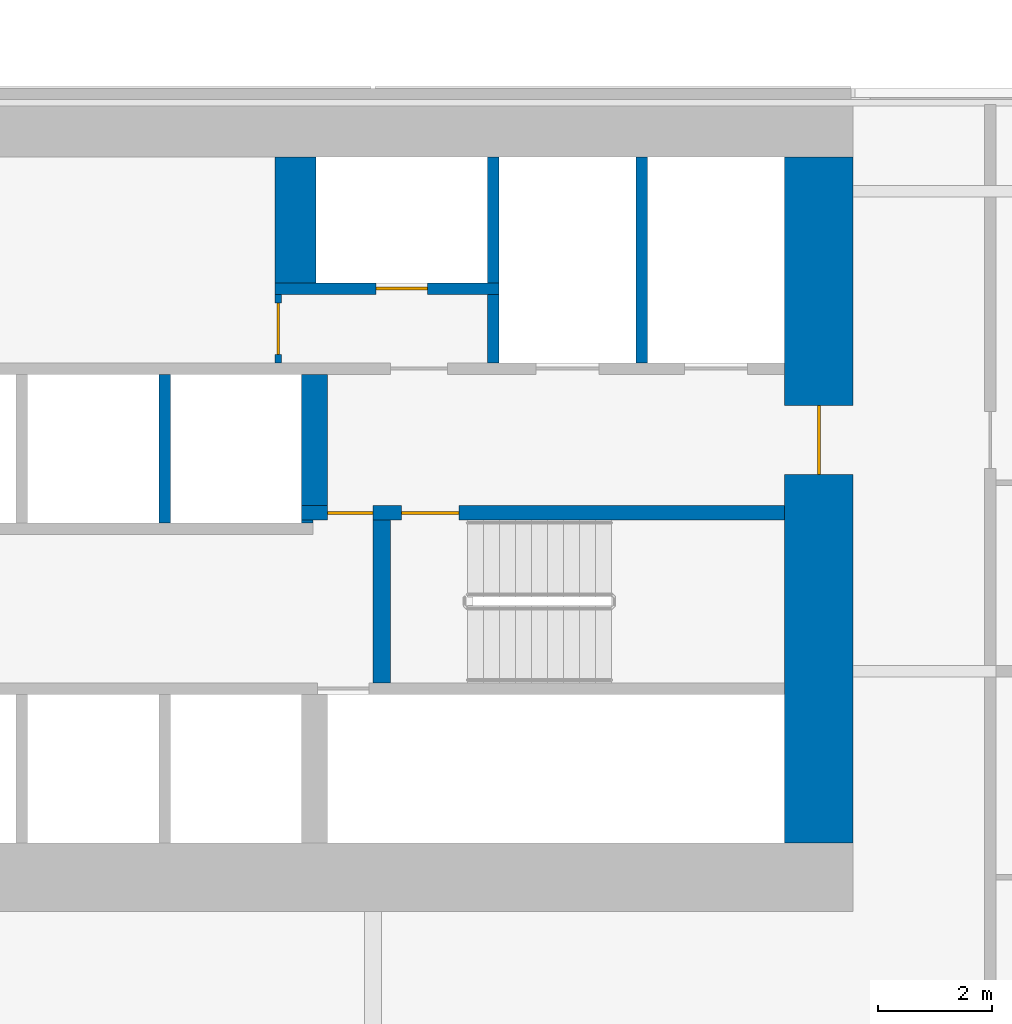
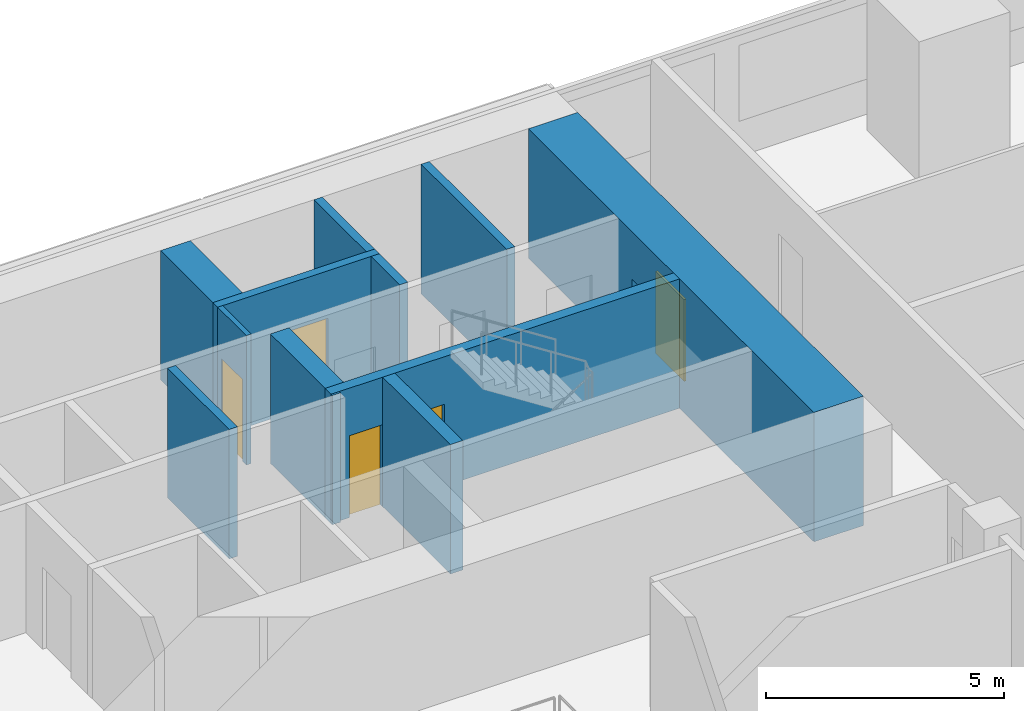
# One storey, part 23 of 30: 12 walls, 5 doors, 5 openings.
"""IFC4 building model written with IfcOpenShell, lengths in metres."""

from ifc_helpers import new_model, si_unit, direction, frame, frame_2d, origin, place, context, subcontext, project, spatial, rectangle, extrude, material, layer, layer_set, type_object, element, fill, save


model = new_model("IFC4")

# Units and contexts
model_context = context("Model", 3, precision=1e-05, world=origin(), true_north=direction((0.0, 1.0)))
body_context = subcontext(model_context, "Body", "Model", "MODEL_VIEW")
ifc_project = project(units=[si_unit("LENGTHUNIT", "METRE"), si_unit("AREAUNIT", "SQUARE_METRE"), si_unit("VOLUMEUNIT", "CUBIC_METRE"), si_unit("PLANEANGLEUNIT", "RADIAN"), si_unit("MASSUNIT", "GRAM", prefix="KILO")], contexts=[model_context])

# Site, building, storey
site_placement = place(None, origin())
site = spatial("IfcSite", under=ifc_project, at=site_placement, CompositionType="ELEMENT")
building_placement = place(site_placement, origin())
building = spatial("IfcBuilding", under=site, at=building_placement, Name="Saffron Gate Tower", CompositionType="ELEMENT")
storey_placement = place(building_placement, frame((0.0, 0.0, 69.60009765625)))
storey = spatial("IfcBuildingStorey", under=building, at=storey_placement, Name="L16", CompositionType="ELEMENT", Elevation=69.60009765625)

# Wall, opening, door
ifc_material_1 = material(Name="Concrete C70", Category="concrete")
ifc_layer_1 = layer(ifc_material_1, 1.199951171875)
ifc_layer_set_1 = layer_set([ifc_layer_1], Name="CW1 RC core wall 1200 C70")
wall_type_1 = type_object("IfcWallType", Name="CW1 RC core wall 1200 C70", PredefinedType="SOLIDWALL", material=ifc_layer_set_1)
wall_1_placement = place(storey_placement, frame((108.0, 62.39990234375, 0.0), z_axis=(0.0, 0.0, 1.0), x_axis=(0.0, 1.0, 0.0)))
wall_1 = element("IfcWall", 1, at=wall_1_placement, inside=storey, type_object=wall_type_1, Name="Wall CW1-L16-4", PredefinedType="SOLIDWALL", context=body_context, shape_type="SweptSolid", body=[
    extrude(rectangle(XDim=12.0, YDim=1.199951171875, at=frame_2d((6.0, 0.0))), origin(), (0.0, 0.0, 1.0), 3.31982421875),
])
opening_1_placement = place(wall_1_placement, frame((6.449951171875, 0.0, 0.0)))
opening_1 = element("IfcOpeningElement", 2, at=opening_1_placement, cuts=wall_1, Name="Opening CR-08", PredefinedType="OPENING", context=body_context, shape_type="SweptSolid", body=[
    extrude(rectangle(XDim=1.199951171875, YDim=2.10009765625, at=frame_2d((0.60009765625, 1.050048828125))), frame((0.0, 0.60986328125, 0.0), z_axis=(0.0, -1.0, 0.0), x_axis=(1.0, 0.0, 0.0)), (0.0, 0.0, 1.0), 1.219970703125),
])
ifc_material_2 = material(Name="Steel fire door set", Category="steel")
door_type_1 = type_object("IfcDoorType", Name="CD7 Core entrance door 1200x2100 EI 120", OperationType="NOTDEFINED", PredefinedType="DOOR", material=ifc_material_2)
door_1_placement = place(opening_1_placement, origin())
door_1 = element("IfcDoor", 3, at=door_1_placement, inside=storey, type_object=door_type_1, Name="DOOR CR-08", OperationType="SINGLE_SWING_RIGHT", OverallHeight=2.10009765625, OverallWidth=1.199951171875, PredefinedType="DOOR", context=body_context, shape_type="SweptSolid", body=[
    extrude(rectangle(XDim=1.199951171875, YDim=2.10009765625, at=frame_2d((0.60009765625, 1.050048828125))), frame((0.0, 0.02490234375, 0.0), z_axis=(0.0, -1.0, 0.0), x_axis=(1.0, 0.0, 0.0)), (0.0, 0.0, 1.0), 0.050048828125),
])
fill(opening_1, door_1)

# Wall
ifc_layer_2 = layer(ifc_material_1, 0.719970703125)
ifc_layer_set_2 = layer_set([ifc_layer_2], Name="CW11 RC core wall 720 C70")
wall_type_2 = type_object("IfcWallType", Name="CW11 RC core wall 720 C70", PredefinedType="SOLIDWALL", material=ifc_layer_set_2)
wall_2_placement = place(storey_placement, frame((98.840087890625, 72.199951171875, 0.0), z_axis=(0.0, 0.0, 1.0), x_axis=(0.0, 1.0, 0.0)))
element("IfcWall", 4, at=wall_2_placement, inside=storey, type_object=wall_type_2, Name="Wall CW11-L16-48", PredefinedType="SOLIDWALL", context=body_context, shape_type="SweptSolid", body=[
    extrude(rectangle(XDim=2.199951171875, YDim=0.719970703125, at=frame_2d((1.10009765625, 0.0))), origin(), (0.0, 0.0, 1.0), 3.31982421875),
])

# Wall, openings, doors
ifc_layer_3 = layer(ifc_material_1, 0.25)
ifc_layer_set_3 = layer_set([ifc_layer_3], Name="CW2 RC core wall 250 C70")
wall_type_3 = type_object("IfcWallType", Name="CW2 RC core wall 250 C70", PredefinedType="SOLIDWALL", material=ifc_layer_set_3)
wall_3_placement = place(storey_placement, frame((98.949951171875, 68.175048828125, 0.0), z_axis=(0.0, 0.0, 1.0), x_axis=(1.0, 0.0, 0.0)))
wall_3 = element("IfcWall", 5, at=wall_3_placement, inside=storey, type_object=wall_type_3, Name="Wall CW2-L16-31", PredefinedType="SOLIDWALL", context=body_context, shape_type="SweptSolid", body=[
    extrude(rectangle(XDim=8.449951171875, YDim=0.25, at=frame_2d((4.22509765625, 0.0))), origin(), (0.0, 0.0, 1.0), 3.31982421875),
])
opening_2_placement = place(wall_3_placement, frame((0.449951171875, 0.0, 0.0)))
opening_2 = element("IfcOpeningElement", 6, at=opening_2_placement, cuts=wall_3, Name="Opening CR-05", PredefinedType="OPENING", context=body_context, shape_type="SweptSolid", body=[
    extrude(rectangle(XDim=0.800048828125, YDim=2.10009765625, at=frame_2d((0.39990234375, 1.050048828125))), frame((0.0, 0.135009765625, 0.0), z_axis=(0.0, -1.0, 0.0), x_axis=(1.0, 0.0, 0.0)), (0.0, 0.0, 1.0), 0.27001953125),
])
opening_3_placement = place(wall_3_placement, frame((1.75, 0.0, 0.0)))
opening_3 = element("IfcOpeningElement", 7, at=opening_3_placement, cuts=wall_3, Name="Opening CR-16", PredefinedType="OPENING", context=body_context, shape_type="SweptSolid", body=[
    extrude(rectangle(XDim=1.0, YDim=2.10009765625, at=frame_2d((0.5, 1.050048828125))), frame((0.0, 0.135009765625, 0.0), z_axis=(0.0, -1.0, 0.0), x_axis=(1.0, 0.0, 0.0)), (0.0, 0.0, 1.0), 0.27001953125),
])
door_type_2 = type_object("IfcDoorType", Name="CD5 Stair door 1000x2100 EI 120", OperationType="NOTDEFINED", PredefinedType="DOOR", material=ifc_material_2)
door_2_placement = place(opening_3_placement, origin())
door_2 = element("IfcDoor", 8, at=door_2_placement, inside=storey, type_object=door_type_2, Name="DOOR CR-16", OperationType="SINGLE_SWING_RIGHT", OverallHeight=2.10009765625, OverallWidth=1.0, PredefinedType="DOOR", context=body_context, shape_type="SweptSolid", body=[
    extrude(rectangle(XDim=1.0, YDim=2.10009765625, at=frame_2d((0.5, 1.050048828125))), frame((0.0, 0.02490234375, 0.0), z_axis=(0.0, -1.0, 0.0), x_axis=(1.0, 0.0, 0.0)), (0.0, 0.0, 1.0), 0.050048828125),
])
fill(opening_3, door_2)
door_type_3 = type_object("IfcDoorType", Name="CD6 Lobby door 800x2100 EI 120", OperationType="NOTDEFINED", PredefinedType="DOOR", material=ifc_material_2)
door_3_placement = place(opening_2_placement, origin())
door_3 = element("IfcDoor", 9, at=door_3_placement, inside=storey, type_object=door_type_3, Name="DOOR CR-05", OperationType="SINGLE_SWING_LEFT", OverallHeight=2.10009765625, OverallWidth=0.800048828125, PredefinedType="DOOR", context=body_context, shape_type="SweptSolid", body=[
    extrude(rectangle(XDim=0.800048828125, YDim=2.10009765625, at=frame_2d((0.39990234375, 1.050048828125))), frame((0.0, 0.02490234375, 0.0), z_axis=(0.0, -1.0, 0.0), x_axis=(1.0, 0.0, 0.0)), (0.0, 0.0, 1.0), 0.050048828125),
])
fill(opening_2, door_3)

# Walls
ifc_layer_4 = layer(ifc_material_1, 0.199951171875)
ifc_layer_set_4 = layer_set([ifc_layer_4], Name="CW3 RC core wall 200 C70")
wall_type_4 = type_object("IfcWallType", Name="CW3 RC core wall 200 C70", PredefinedType="SOLIDWALL", material=ifc_layer_set_4)
wall_4_placement = place(storey_placement, frame((96.550048828125, 68.0, 0.0), z_axis=(0.0, 0.0, 1.0), x_axis=(0.0, 1.0, 0.0)))
element("IfcWall", 10, at=wall_4_placement, inside=storey, type_object=wall_type_4, Name="Wall CW3-L16-28", PredefinedType="SOLIDWALL", context=body_context, shape_type="SweptSolid", body=[
    extrude(rectangle(XDim=2.60009765625, YDim=0.199951171875, at=frame_2d((1.300048828125, 0.0))), origin(), (0.0, 0.0, 1.0), 3.31982421875),
])
wall_5_placement = place(storey_placement, frame((102.300048828125, 70.800048828125, 0.0), z_axis=(0.0, 0.0, 1.0), x_axis=(0.0, 1.0, 0.0)))
element("IfcWall", 11, at=wall_5_placement, inside=storey, type_object=wall_type_4, Name="Wall CW3-L16-41", PredefinedType="SOLIDWALL", context=body_context, shape_type="SweptSolid", body=[
    extrude(rectangle(XDim=1.199951171875, YDim=0.199951171875, at=frame_2d((0.60009765625, 0.0))), origin(), (0.0, 0.0, 1.0), 3.31982421875),
])
wall_6_placement = place(storey_placement, frame((104.89990234375, 70.800048828125, 0.0), z_axis=(0.0, 0.0, 1.0), x_axis=(0.0, 1.0, 0.0)))
element("IfcWall", 12, at=wall_6_placement, inside=storey, type_object=wall_type_4, Name="Wall CW3-L16-42", PredefinedType="SOLIDWALL", context=body_context, shape_type="SweptSolid", body=[
    extrude(rectangle(XDim=3.599853515625, YDim=0.199951171875, at=frame_2d((1.7998046875, 0.0))), origin(), (0.0, 0.0, 1.0), 3.31982421875),
])

# Wall, opening, door
wall_7_placement = place(storey_placement, frame((98.47998046875, 72.10009765625, 0.0), z_axis=(0.0, 0.0, 1.0), x_axis=(1.0, 0.0, 0.0)))
wall_7 = element("IfcWall", 13, at=wall_7_placement, inside=storey, type_object=wall_type_4, Name="Wall CW3-L16-44", PredefinedType="SOLIDWALL", context=body_context, shape_type="SweptSolid", body=[
    extrude(rectangle(XDim=3.919921875, YDim=0.199951171875, at=frame_2d((1.9599609375, 0.0))), origin(), (0.0, 0.0, 1.0), 3.31982421875),
])
opening_4_placement = place(wall_7_placement, frame((1.77001953125, 0.0, 0.0)))
opening_4 = element("IfcOpeningElement", 14, at=opening_4_placement, cuts=wall_7, Name="Opening CR-70", PredefinedType="OPENING", context=body_context, shape_type="SweptSolid", body=[
    extrude(rectangle(XDim=0.89990234375, YDim=2.10009765625, at=frame_2d((0.449951171875, 1.050048828125))), frame((0.0, 0.10986328125, 0.0), z_axis=(0.0, -1.0, 0.0), x_axis=(1.0, 0.0, 0.0)), (0.0, 0.0, 1.0), 0.219970703125),
])
door_type_4 = type_object("IfcDoorType", Name="CD2 Riser door 900x2100 EI 60", OperationType="NOTDEFINED", PredefinedType="DOOR", material=ifc_material_2)
door_4_placement = place(opening_4_placement, origin())
door_4 = element("IfcDoor", 15, at=door_4_placement, inside=storey, type_object=door_type_4, Name="DOOR CR-70", OperationType="SINGLE_SWING_LEFT", OverallHeight=2.10009765625, OverallWidth=0.89990234375, PredefinedType="DOOR", context=body_context, shape_type="SweptSolid", body=[
    extrude(rectangle(XDim=0.89990234375, YDim=2.10009765625, at=frame_2d((0.449951171875, 1.050048828125))), frame((0.0, 0.02490234375, 0.0), z_axis=(0.0, -1.0, 0.0), x_axis=(1.0, 0.0, 0.0)), (0.0, 0.0, 1.0), 0.050048828125),
])
fill(opening_4, door_4)

# Walls
wall_8_placement = place(storey_placement, frame((102.300048828125, 72.199951171875, 0.0), z_axis=(0.0, 0.0, 1.0), x_axis=(0.0, 1.0, 0.0)))
element("IfcWall", 16, at=wall_8_placement, inside=storey, type_object=wall_type_4, Name="Wall CW3-L16-49", PredefinedType="SOLIDWALL", context=body_context, shape_type="SweptSolid", body=[
    extrude(rectangle(XDim=2.199951171875, YDim=0.199951171875, at=frame_2d((1.10009765625, 0.0))), origin(), (0.0, 0.0, 1.0), 3.31982421875),
])
ifc_layer_5 = layer(ifc_material_1, 0.449951171875)
ifc_layer_set_5 = layer_set([ifc_layer_5], Name="CW4 RC core wall 450 C70")
wall_type_5 = type_object("IfcWallType", Name="CW4 RC core wall 450 C70", PredefinedType="SOLIDWALL", material=ifc_layer_set_5)
wall_9_placement = place(storey_placement, frame((99.175048828125, 68.300048828125, 0.0), z_axis=(0.0, 0.0, 1.0), x_axis=(0.0, 1.0, 0.0)))
element("IfcWall", 17, at=wall_9_placement, inside=storey, type_object=wall_type_5, Name="Wall CW4-L16-33", PredefinedType="SOLIDWALL", context=body_context, shape_type="SweptSolid", body=[
    extrude(rectangle(XDim=2.300048828125, YDim=0.449951171875, at=frame_2d((1.14990234375, 0.0))), origin(), (0.0, 0.0, 1.0), 3.31982421875),
])
ifc_layer_6 = layer(ifc_material_1, 0.300048828125)
ifc_layer_set_6 = layer_set([ifc_layer_6], Name="CW5 RC core wall 300 C70")
wall_type_6 = type_object("IfcWallType", Name="CW5 RC core wall 300 C70", PredefinedType="SOLIDWALL", material=ifc_layer_set_6)
wall_10_placement = place(storey_placement, frame((100.35009765625, 65.199951171875, 0.0), z_axis=(0.0, 0.0, 1.0), x_axis=(0.0, 1.0, 0.0)))
element("IfcWall", 18, at=wall_10_placement, inside=storey, type_object=wall_type_6, Name="Wall CW5-L16-19", PredefinedType="SOLIDWALL", context=body_context, shape_type="SweptSolid", body=[
    extrude(rectangle(XDim=2.85009765625, YDim=0.300048828125, at=frame_2d((1.425048828125, 0.0))), origin(), (0.0, 0.0, 1.0), 3.31982421875),
])
ifc_layer_7 = layer(ifc_material_1, 0.050048828125)
ifc_layer_set_7 = layer_set([ifc_layer_7], Name="CW6 RC core wall 50 C70")
wall_type_7 = type_object("IfcWallType", Name="CW6 RC core wall 50 C70", PredefinedType="SOLIDWALL", material=ifc_layer_set_7)
wall_11_placement = place(storey_placement, frame((98.949951171875, 68.02490234375, 0.0), z_axis=(0.0, 0.0, 1.0), x_axis=(1.0, 0.0, 0.0)))
element("IfcWall", 19, at=wall_11_placement, inside=storey, type_object=wall_type_7, Name="Wall CW6-L16-29", PredefinedType="SOLIDWALL", context=body_context, shape_type="SweptSolid", body=[
    extrude(rectangle(XDim=0.199951171875, YDim=0.050048828125, at=frame_2d((0.10009765625, 0.0))), origin(), (0.0, 0.0, 1.0), 3.31982421875),
])

# Wall, opening, door
ifc_material_3 = material(Name="Gypsum board partition on steel studs", Category="steel")
ifc_layer_8 = layer(ifc_material_3, 0.1201171875)
ifc_layer_set_8 = layer_set([ifc_layer_8], Name="CW8 Core partition 120")
wall_type_8 = type_object("IfcWallType", Name="CW8 Core partition 120", PredefinedType="PARTITIONING", material=ifc_layer_set_8)
wall_12_placement = place(storey_placement, frame((98.5400390625, 70.800048828125, 0.0), z_axis=(0.0, 0.0, 1.0), x_axis=(0.0, 1.0, 0.0)))
wall_12 = element("IfcWall", 20, at=wall_12_placement, inside=storey, type_object=wall_type_8, Name="Wall CW8-L16-40", PredefinedType="PARTITIONING", context=body_context, shape_type="SweptSolid", body=[
    extrude(rectangle(XDim=1.199951171875, YDim=0.1201171875, at=frame_2d((0.60009765625, 0.0))), origin(), (0.0, 0.0, 1.0), 3.31982421875),
])
opening_5_placement = place(wall_12_placement, frame((0.14990234375, 0.0, 0.0)))
opening_5 = element("IfcOpeningElement", 21, at=opening_5_placement, cuts=wall_12, Name="Opening CR-54", PredefinedType="OPENING", context=body_context, shape_type="SweptSolid", body=[
    extrude(rectangle(XDim=0.89990234375, YDim=2.10009765625, at=frame_2d((0.449951171875, 1.050048828125))), frame((0.0, 0.070068359375, 0.0), z_axis=(0.0, -1.0, 0.0), x_axis=(1.0, 0.0, 0.0)), (0.0, 0.0, 1.0), 0.14013671875),
])
door_type_5 = type_object("IfcDoorType", Name="CD9 Room door 900x2100 EI 60", OperationType="NOTDEFINED", PredefinedType="DOOR", material=ifc_material_2)
door_5_placement = place(opening_5_placement, origin())
door_5 = element("IfcDoor", 22, at=door_5_placement, inside=storey, type_object=door_type_5, Name="DOOR CR-54", OperationType="SINGLE_SWING_LEFT", OverallHeight=2.10009765625, OverallWidth=0.89990234375, PredefinedType="DOOR", context=body_context, shape_type="SweptSolid", body=[
    extrude(rectangle(XDim=0.89990234375, YDim=2.10009765625, at=frame_2d((0.449951171875, 1.050048828125))), frame((0.0, 0.02490234375, 0.0), z_axis=(0.0, -1.0, 0.0), x_axis=(1.0, 0.0, 0.0)), (0.0, 0.0, 1.0), 0.050048828125),
])
fill(opening_5, door_5)

save(model, "model.ifc")
